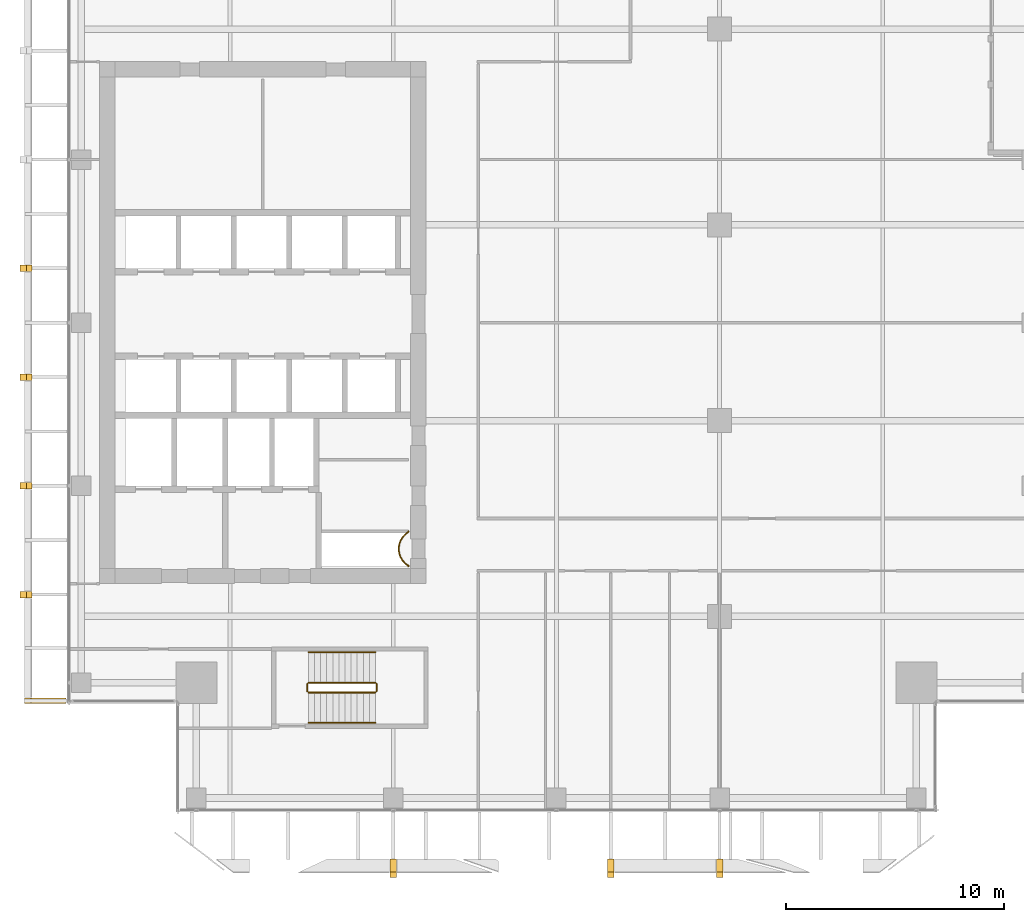
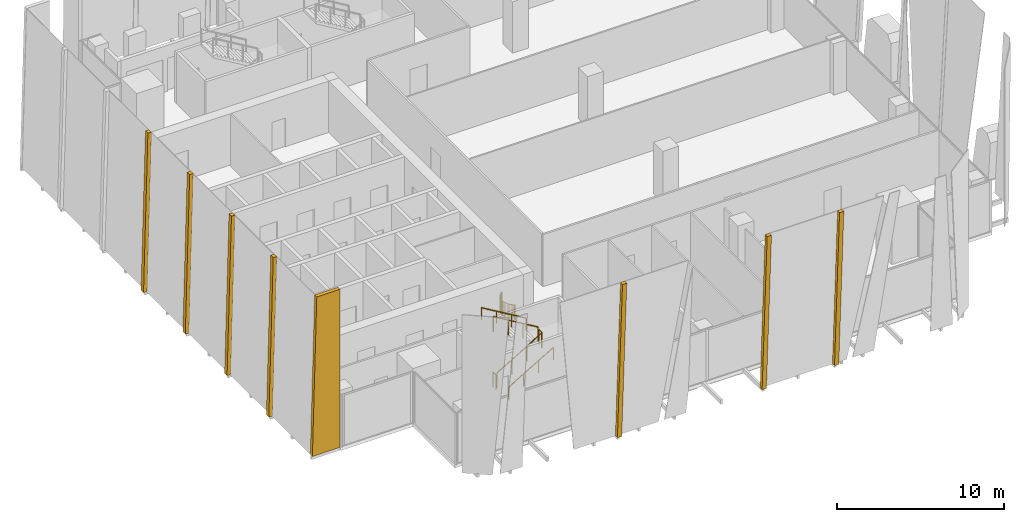
# One storey, part 32 of 35: 8 coverings, 7 railings.
"""IFC4 building model written with IfcOpenShell, lengths in metres."""

from ifc_helpers import new_model, si_unit, direction, frame, origin, origin_2d, place, context, subcontext, project, spatial, polyline, circle, outline, extrude, source, transform, mapped, material, layer, layer_set, type_object, element, save


model = new_model("IFC4")

# Units and contexts
model_context = context("Model", 3, precision=1e-05, world=origin(), true_north=direction((0.0, 1.0)))
body_context = subcontext(model_context, "Body", "Model", "MODEL_VIEW")
ifc_project = project(units=[si_unit("LENGTHUNIT", "METRE"), si_unit("AREAUNIT", "SQUARE_METRE"), si_unit("VOLUMEUNIT", "CUBIC_METRE"), si_unit("PLANEANGLEUNIT", "RADIAN"), si_unit("MASSUNIT", "GRAM", prefix="KILO")], contexts=[model_context])

# Site, building, storey
site_placement = place(None, origin())
site = spatial("IfcSite", under=ifc_project, at=site_placement, CompositionType="ELEMENT")
building_placement = place(site_placement, origin())
building = spatial("IfcBuilding", under=site, at=building_placement, Name="Khomas Fold Tower", CompositionType="ELEMENT")
storey_placement = place(building_placement, frame((0.0, 0.0, 246.199951171875)))
storey = spatial("IfcBuildingStorey", under=building, at=storey_placement, Name="L55", CompositionType="ELEMENT", Elevation=246.199951171875)

# Coverings
ifc_material_1 = material(Name="Natural stone cladding", Category="masonry")
ifc_layer = layer(ifc_material_1, 0.25)
ifc_layer_set = layer_set([ifc_layer], Name="Natural stone cladding")
covering_type = type_object("IfcCoveringType", Name="SK-Karibib marble stone mullion", PredefinedType="CLADDING", material=ifc_layer_set)
for number, where, z_axis, x_axis, name in (
    (1, (19.35009765625, 2.34228515625, 0.0), (0.0, 0.99862882819, 0.052349436554), (0.0, -0.052349436554, 0.99862882819), "OUTER SKIN mullion L55 SM100-5"),
    (2, (29.35009765625, 2.34228515625, 0.0), (0.0, 0.99862882819, 0.052349436554), (0.0, -0.052349436554, 0.99862882819), "OUTER SKIN mullion L55 SM102-8"),
    (3, (34.35009765625, 2.34228515625, 0.0), (0.0, 0.99862882819, 0.052349436554), (0.0, -0.052349436554, 0.99862882819), "OUTER SKIN mullion L55 SM103-10"),
):
    element("IfcCovering", number, at=place(storey_placement, frame(where, z_axis=z_axis, x_axis=x_axis)), inside=storey, type_object=covering_type, Name=name, PredefinedType="CLADDING", context=body_context, shape_type="SweptSolid", body=[
        extrude(outline(polyline([(0.0, 0.0), (11.565907674683308, 0.0), (11.565907674683308, 0.2998046875), (0.0, 0.2998046875), (0.0, 0.0)])), origin(), (0.0, 0.0, -1.0), 0.25),
    ])
for number, where, z_axis, x_axis, name in (
    (4, (2.339111328125, 14.35009765625, 0.006591796875), (-0.999657230839, 0.0, 0.026180543005), (0.0, 1.0, 0.0), "OUTER SKIN mullion L55 W2"),
    (5, (2.339111328125, 19.35009765625, 0.006591796875), (-0.999657230839, 0.0, 0.026180543005), (0.0, 1.0, 0.0), "OUTER SKIN mullion L55 W4"),
    (6, (2.339111328125, 24.35009765625, 0.006591796875), (-0.999657230839, 0.0, 0.026180543005), (0.0, 1.0, 0.0), "OUTER SKIN mullion L55 W6"),
    (7, (2.339111328125, 29.35009765625, 0.006591796875), (-0.999657230839, 0.0, 0.026180543005), (0.0, 1.0, 0.0), "OUTER SKIN mullion L55 W8"),
):
    element("IfcCovering", number, at=place(storey_placement, frame(where, z_axis=z_axis, x_axis=x_axis)), inside=storey, type_object=covering_type, Name=name, PredefinedType="CLADDING", context=body_context, shape_type="SweptSolid", body=[
        extrude(outline(polyline([(0.0, 0.0), (0.2998046875, 0.0), (0.2998046875, -11.554009186164079), (0.0, -11.554009186164079), (0.0, 0.0)])), origin(), (0.0, 0.0, -1.0), 0.25),
    ])
covering_placement = place(storey_placement, frame((4.449951171875, 9.5, 11.550048828125), z_axis=(0.0, -1.0, 0.0), x_axis=(-1.0, 0.0, 0.0)))
element("IfcCovering", 8, at=covering_placement, inside=storey, type_object=covering_type, Name="OUTER SKIN return L55 W1", PredefinedType="CLADDING", context=body_context, shape_type="SweptSolid", body=[
    extrude(outline(polyline([(0.0, 0.0), (1.598388671875, 0.0), (1.90087890625, 11.550048828125), (0.0, 11.550048828125), (0.0, 0.0)])), origin(), (0.0, 0.0, -1.0), 0.25),
])

# Railings
ifc_material_2 = material(Name="Steel balustrade", Category="steel")
railing_type_1 = type_object("IfcRailingType", Name="Stair guard", PredefinedType="GUARDRAIL", material=ifc_material_2)
shared_shape_1 = source(origin(), body_context, "Body", "SweptSolid", [
    extrude(circle(Radius=0.02392578125, at=origin_2d()), frame((0.0, 0.0, 1.076171875), z_axis=(0.0, 1.0, 0.0), x_axis=(-1.0, 0.0, 0.0)), (0.0, 0.0, 1.0), 0.349853515625),
    extrude(circle(Radius=0.02099609375, at=origin_2d()), origin(), (0.0, 0.0, 1.0), 1.052001953125),
    extrude(circle(Radius=0.02099609375, at=origin_2d()), frame((0.0, 0.349853515625, 0.0)), (0.0, 0.0, 1.0), 1.052001953125),
])
for number, where, name in (
    (9, (18.72998046875, 10.050048828125, 2.0), "L55 ST2 stair guard 2"),
    (10, (15.550048828125, 10.050048828125, 0.0), "L55 ST2 stair guard 4"),
):
    element("IfcRailing", number, at=place(storey_placement, frame(where)), inside=storey, type_object=railing_type_1, Name=name, PredefinedType="GUARDRAIL", context=body_context, shape_type="MappedRepresentation", body=[
        mapped(shared_shape_1, transform((0.0, 0.0, 0.0))),
    ])
shared_shape_2 = source(origin(), body_context, "Body", "SweptSolid", [
    extrude(circle(Radius=0.02392578125, at=origin_2d()), frame((0.0, 0.0, 1.076171875), z_axis=(0.859290745958, 0.0, 0.51148745235), x_axis=(0.0, 1.0, 0.0)), (0.0, 0.0, 1.0), 3.584228515625),
    extrude(circle(Radius=0.02099609375, at=origin_2d()), origin(), (0.0, 0.0, 1.0), 1.052001953125),
    extrude(circle(Radius=0.02099609375, at=origin_2d()), frame((1.026611328125, 0.0, 0.611083984375)), (0.0, 0.0, 1.0), 1.052001953125),
    extrude(circle(Radius=0.02099609375, at=origin_2d()), frame((2.05322265625, 0.0, 1.22216796875)), (0.0, 0.0, 1.0), 1.052001953125),
    extrude(circle(Radius=0.02099609375, at=origin_2d()), frame((3.079833984375, 0.0, 1.833251953125)), (0.0, 0.0, 1.0), 1.052001953125),
])
railing_1_placement = place(storey_placement, frame((15.60009765625, 10.0, 0.166748046875)))
element("IfcRailing", 11, at=railing_1_placement, inside=storey, type_object=railing_type_1, Name="L55 ST2 stair guard 1", PredefinedType="GUARDRAIL", context=body_context, shape_type="MappedRepresentation", body=[
    mapped(shared_shape_2, transform((0.0, 0.0, 0.0))),
])
shared_shape_3 = source(origin(), body_context, "Body", "SweptSolid", [
    extrude(circle(Radius=0.02392578125, at=origin_2d()), frame((0.0, 0.0, 1.076171875), z_axis=(-0.859290745958, 0.0, 0.51148745235), x_axis=(0.0, -1.0, 0.0)), (0.0, 0.0, 1.0), 3.584228515625),
    extrude(circle(Radius=0.02099609375, at=origin_2d()), origin(), (0.0, 0.0, 1.0), 1.052001953125),
    extrude(circle(Radius=0.02099609375, at=origin_2d()), frame((-1.026611328125, 0.0, 0.611083984375)), (0.0, 0.0, 1.0), 1.052001953125),
    extrude(circle(Radius=0.02099609375, at=origin_2d()), frame((-2.05322265625, 0.0, 1.22216796875)), (0.0, 0.0, 1.0), 1.052001953125),
    extrude(circle(Radius=0.02099609375, at=origin_2d()), frame((-3.079833984375, 0.0, 1.833251953125)), (0.0, 0.0, 1.0), 1.052001953125),
])
railing_2_placement = place(storey_placement, frame((18.679931640625, 10.449951171875, 2.166748046875)))
element("IfcRailing", 12, at=railing_2_placement, inside=storey, type_object=railing_type_1, Name="L55 ST2 stair guard 3", PredefinedType="GUARDRAIL", context=body_context, shape_type="MappedRepresentation", body=[
    mapped(shared_shape_3, transform((0.0, 0.0, 0.0))),
])
ifc_material_3 = material(Name="Steel handrail", Category="steel")
railing_type_2 = type_object("IfcRailingType", Name="Stair handrail", PredefinedType="HANDRAIL", material=ifc_material_3)
shared_shape_4 = source(origin(), body_context, "Body", "SweptSolid", [
    extrude(circle(Radius=0.02392578125, at=origin_2d()), frame((0.0, 0.0, 0.8759765625), z_axis=(0.859290745958, 0.0, 0.51148745235), x_axis=(0.0, 1.0, 0.0)), (0.0, 0.0, 1.0), 3.584228515625),
    extrude(circle(Radius=0.02099609375, at=origin_2d()), origin(), (0.0, 0.0, 1.0), 0.851806640625),
    extrude(circle(Radius=0.02099609375, at=origin_2d()), frame((1.026611328125, 0.0, 0.611083984375)), (0.0, 0.0, 1.0), 0.851806640625),
    extrude(circle(Radius=0.02099609375, at=origin_2d()), frame((2.05322265625, 0.0, 1.22216796875)), (0.0, 0.0, 1.0), 0.851806640625),
    extrude(circle(Radius=0.02099609375, at=origin_2d()), frame((3.079833984375, 0.0, 1.833251953125)), (0.0, 0.0, 1.0), 0.851806640625),
])
railing_3_placement = place(storey_placement, frame((15.60009765625, 8.60009765625, 0.166748046875)))
element("IfcRailing", 13, at=railing_3_placement, inside=storey, type_object=railing_type_2, Name="L55 ST2 stair handrail 1", PredefinedType="HANDRAIL", context=body_context, shape_type="MappedRepresentation", body=[
    mapped(shared_shape_4, transform((0.0, 0.0, 0.0))),
])
shared_shape_5 = source(origin(), body_context, "Body", "SweptSolid", [
    extrude(circle(Radius=0.02392578125, at=origin_2d()), frame((0.0, 0.0, 0.8759765625), z_axis=(-0.859290745958, 0.0, 0.51148745235), x_axis=(0.0, -1.0, 0.0)), (0.0, 0.0, 1.0), 3.584228515625),
    extrude(circle(Radius=0.02099609375, at=origin_2d()), origin(), (0.0, 0.0, 1.0), 0.851806640625),
    extrude(circle(Radius=0.02099609375, at=origin_2d()), frame((-1.026611328125, 0.0, 0.611083984375)), (0.0, 0.0, 1.0), 0.851806640625),
    extrude(circle(Radius=0.02099609375, at=origin_2d()), frame((-2.05322265625, 0.0, 1.22216796875)), (0.0, 0.0, 1.0), 0.851806640625),
    extrude(circle(Radius=0.02099609375, at=origin_2d()), frame((-3.079833984375, 0.0, 1.833251953125)), (0.0, 0.0, 1.0), 0.851806640625),
])
railing_4_placement = place(storey_placement, frame((18.679931640625, 11.85009765625, 2.166748046875)))
element("IfcRailing", 14, at=railing_4_placement, inside=storey, type_object=railing_type_2, Name="L55 ST2 stair handrail 2", PredefinedType="HANDRAIL", context=body_context, shape_type="MappedRepresentation", body=[
    mapped(shared_shape_5, transform((0.0, 0.0, 0.0))),
])
ifc_material_4 = material(Name="Steel balustrade", Category="steel")
railing_type_3 = type_object("IfcRailingType", Name="Shaft guard", PredefinedType="GUARDRAIL", material=ifc_material_4)
shared_shape_6 = source(origin(), body_context, "Body", "SweptSolid", [
    extrude(circle(Radius=0.02490234375, at=origin_2d()), frame((0.0, 0.0, 1.0751953125), z_axis=(1.0, 0.0, 0.0), x_axis=(0.0, 1.0, 0.0)), (0.0, 0.0, 1.0), 0.02197265625),
    extrude(circle(Radius=0.02490234375, at=origin_2d()), frame((0.02197265625, 0.0, 1.0751953125), z_axis=(0.0, -1.0, 0.0), x_axis=(1.0, 0.0, 0.0)), (0.0, 0.0, 1.0), 0.021484375),
    extrude(circle(Radius=0.02490234375, at=origin_2d()), frame((0.02197265625, -0.021484375, 1.0751953125), z_axis=(-0.857492925713, -0.514495755428, 0.0), x_axis=(0.514495755428, -0.857492925713, 0.0)), (0.0, 0.0, 1.0), 0.058349609375),
    extrude(circle(Radius=0.02490234375, at=origin_2d()), frame((-0.028076171875, -0.051513671875, 1.0751953125), z_axis=(-0.801986734315, -0.597341843489, 0.0), x_axis=(0.597341843489, -0.801986734315, 0.0)), (0.0, 0.0, 1.0), 0.08837890625),
    extrude(circle(Radius=0.02490234375, at=origin_2d()), frame((-0.098876953125, -0.104248046875, 1.0751953125), z_axis=(-0.740814996175, -0.671709119666, 0.0), x_axis=(0.671709119666, -0.740814996175, 0.0)), (0.0, 0.0, 1.0), 0.08837890625),
    extrude(circle(Radius=0.02490234375, at=origin_2d()), frame((-0.164306640625, -0.16357421875, 1.0751953125), z_axis=(-0.671709119666, -0.740814996175, 0.0), x_axis=(0.740814996175, -0.671709119666, 0.0)), (0.0, 0.0, 1.0), 0.08837890625),
    extrude(circle(Radius=0.02490234375, at=origin_2d()), frame((-0.2236328125, -0.22900390625, 1.0751953125), z_axis=(-0.597341843489, -0.801986734315, 0.0), x_axis=(0.801986734315, -0.597341843489, 0.0)), (0.0, 0.0, 1.0), 0.08837890625),
    extrude(circle(Radius=0.02490234375, at=origin_2d()), frame((-0.2763671875, -0.2998046875, 1.0751953125), z_axis=(-0.514495755428, -0.857492925713, 0.0), x_axis=(0.857492925713, -0.514495755428, 0.0)), (0.0, 0.0, 1.0), 0.08837890625),
    extrude(circle(Radius=0.02490234375, at=origin_2d()), frame((-0.32177734375, -0.37548828125, 1.0751953125), z_axis=(-0.424999439989, -0.905193612444, 0.0), x_axis=(0.905193612444, -0.424999439989, 0.0)), (0.0, 0.0, 1.0), 0.08837890625),
    extrude(circle(Radius=0.02490234375, at=origin_2d()), frame((-0.359375, -0.45556640625, 1.0751953125), z_axis=(-0.337738989679, -0.941239807302, 0.0), x_axis=(0.941239807302, -0.337738989679, 0.0)), (0.0, 0.0, 1.0), 0.088134765625),
    extrude(circle(Radius=0.02490234375, at=origin_2d()), frame((-0.38916015625, -0.53857421875, 1.0751953125), z_axis=(-0.243185799972, -0.969979724887, 0.0), x_axis=(0.969979724887, -0.243185799972, 0.0)), (0.0, 0.0, 1.0), 0.08837890625),
    extrude(circle(Radius=0.02490234375, at=origin_2d()), frame((-0.41064453125, -0.624267578125, 1.0751953125), z_axis=(-0.146448518259, -0.989218293148, 0.0), x_axis=(0.989218293148, -0.146448518259, 0.0)), (0.0, 0.0, 1.0), 0.08837890625),
    extrude(circle(Radius=0.02490234375, at=origin_2d()), frame((-0.423583984375, -0.711669921875, 1.0751953125), z_axis=(-0.049799629132, -0.998759228712, 0.0), x_axis=(0.998759228712, -0.049799629132, 0.0)), (0.0, 0.0, 1.0), 0.088134765625),
    extrude(circle(Radius=0.02490234375, at=origin_2d()), frame((-0.427978515625, -0.7998046875, 1.0751953125), z_axis=(0.049662400856, -0.998766061669, 0.0), x_axis=(0.998766061669, 0.049662400856, 0.0)), (0.0, 0.0, 1.0), 0.08837890625),
    extrude(circle(Radius=0.02490234375, at=origin_2d()), frame((-0.423583984375, -0.88818359375, 1.0751953125), z_axis=(0.146448518259, -0.989218293148, 0.0), x_axis=(0.989218293148, 0.146448518259, 0.0)), (0.0, 0.0, 1.0), 0.08837890625),
    extrude(circle(Radius=0.02490234375, at=origin_2d()), frame((-0.41064453125, -0.9755859375, 1.0751953125), z_axis=(0.243185799972, -0.969979724887, 0.0), x_axis=(0.969979724887, 0.243185799972, 0.0)), (0.0, 0.0, 1.0), 0.08837890625),
    extrude(circle(Radius=0.02490234375, at=origin_2d()), frame((-0.38916015625, -1.061279296875, 1.0751953125), z_axis=(0.337738989679, -0.941239807302, 0.0), x_axis=(0.941239807302, 0.337738989679, 0.0)), (0.0, 0.0, 1.0), 0.088134765625),
    extrude(circle(Radius=0.02490234375, at=origin_2d()), frame((-0.359375, -1.144287109375, 1.0751953125), z_axis=(0.426063493689, -0.904693262573, 0.0), x_axis=(0.904693262573, 0.426063493689, 0.0)), (0.0, 0.0, 1.0), 0.088134765625),
    extrude(circle(Radius=0.02490234375, at=origin_2d()), frame((-0.32177734375, -1.22412109375, 1.0751953125), z_axis=(0.514495755428, -0.857492925713, 0.0), x_axis=(0.857492925713, 0.514495755428, 0.0)), (0.0, 0.0, 1.0), 0.08837890625),
    extrude(circle(Radius=0.02490234375, at=origin_2d()), frame((-0.2763671875, -1.2998046875, 1.0751953125), z_axis=(0.596019138224, -0.802970227885, 0.0), x_axis=(0.802970227885, 0.596019138224, 0.0)), (0.0, 0.0, 1.0), 0.08837890625),
    extrude(circle(Radius=0.02490234375, at=origin_2d()), frame((-0.2236328125, -1.370849609375, 1.0751953125), z_axis=(0.671709119666, -0.740814996175, 0.0), x_axis=(0.740814996175, 0.671709119666, 0.0)), (0.0, 0.0, 1.0), 0.08837890625),
    extrude(circle(Radius=0.02490234375, at=origin_2d()), frame((-0.164306640625, -1.436279296875, 1.0751953125), z_axis=(0.740814996175, -0.671709119666, 0.0), x_axis=(0.671709119666, 0.740814996175, 0.0)), (0.0, 0.0, 1.0), 0.08837890625),
    extrude(circle(Radius=0.02490234375, at=origin_2d()), frame((-0.098876953125, -1.49560546875, 1.0751953125), z_axis=(0.803311771616, -0.595558727233, 0.0), x_axis=(0.595558727233, 0.803311771616, 0.0)), (0.0, 0.0, 1.0), 0.088134765625),
    extrude(circle(Radius=0.02490234375, at=origin_2d()), frame((-0.028076171875, -1.548095703125, 1.0751953125), z_axis=(0.857492925713, -0.514495755428, 0.0), x_axis=(0.514495755428, 0.857492925713, 0.0)), (0.0, 0.0, 1.0), 0.058349609375),
    extrude(circle(Radius=0.02490234375, at=origin_2d()), frame((0.02197265625, -1.578125, 1.0751953125), z_axis=(0.0, -1.0, 0.0), x_axis=(1.0, 0.0, 0.0)), (0.0, 0.0, 1.0), 0.021728515625),
    extrude(circle(Radius=0.02490234375, at=origin_2d()), frame((0.02197265625, -1.599853515625, 1.0751953125), z_axis=(-1.0, 0.0, 0.0), x_axis=(0.0, -1.0, 0.0)), (0.0, 0.0, 1.0), 0.02197265625),
    extrude(circle(Radius=0.02001953125, at=origin_2d()), origin(), (0.0, 0.0, 1.0), 1.050048828125),
    extrude(circle(Radius=0.02001953125, at=origin_2d()), frame((0.02197265625, 0.0, 0.0)), (0.0, 0.0, 1.0), 1.050048828125),
    extrude(circle(Radius=0.02001953125, at=origin_2d()), frame((0.02197265625, -0.021484375, 0.0)), (0.0, 0.0, 1.0), 1.050048828125),
    extrude(circle(Radius=0.02001953125, at=origin_2d()), frame((-0.028076171875, -0.051513671875, 0.0)), (0.0, 0.0, 1.0), 1.050048828125),
    extrude(circle(Radius=0.02001953125, at=origin_2d()), frame((-0.098876953125, -0.104248046875, 0.0)), (0.0, 0.0, 1.0), 1.050048828125),
    extrude(circle(Radius=0.02001953125, at=origin_2d()), frame((-0.164306640625, -0.16357421875, 0.0)), (0.0, 0.0, 1.0), 1.050048828125),
    extrude(circle(Radius=0.02001953125, at=origin_2d()), frame((-0.2236328125, -0.22900390625, 0.0)), (0.0, 0.0, 1.0), 1.050048828125),
    extrude(circle(Radius=0.02001953125, at=origin_2d()), frame((-0.2763671875, -0.2998046875, 0.0)), (0.0, 0.0, 1.0), 1.050048828125),
    extrude(circle(Radius=0.02001953125, at=origin_2d()), frame((-0.32177734375, -0.37548828125, 0.0)), (0.0, 0.0, 1.0), 1.050048828125),
    extrude(circle(Radius=0.02001953125, at=origin_2d()), frame((-0.359375, -0.45556640625, 0.0)), (0.0, 0.0, 1.0), 1.050048828125),
    extrude(circle(Radius=0.02001953125, at=origin_2d()), frame((-0.38916015625, -0.53857421875, 0.0)), (0.0, 0.0, 1.0), 1.050048828125),
    extrude(circle(Radius=0.02001953125, at=origin_2d()), frame((-0.41064453125, -0.624267578125, 0.0)), (0.0, 0.0, 1.0), 1.050048828125),
    extrude(circle(Radius=0.02001953125, at=origin_2d()), frame((-0.423583984375, -0.711669921875, 0.0)), (0.0, 0.0, 1.0), 1.050048828125),
    extrude(circle(Radius=0.02001953125, at=origin_2d()), frame((-0.427978515625, -0.7998046875, 0.0)), (0.0, 0.0, 1.0), 1.050048828125),
    extrude(circle(Radius=0.02001953125, at=origin_2d()), frame((-0.423583984375, -0.88818359375, 0.0)), (0.0, 0.0, 1.0), 1.050048828125),
    extrude(circle(Radius=0.02001953125, at=origin_2d()), frame((-0.41064453125, -0.9755859375, 0.0)), (0.0, 0.0, 1.0), 1.050048828125),
    extrude(circle(Radius=0.02001953125, at=origin_2d()), frame((-0.38916015625, -1.061279296875, 0.0)), (0.0, 0.0, 1.0), 1.050048828125),
    extrude(circle(Radius=0.02001953125, at=origin_2d()), frame((-0.359375, -1.144287109375, 0.0)), (0.0, 0.0, 1.0), 1.050048828125),
    extrude(circle(Radius=0.02001953125, at=origin_2d()), frame((-0.32177734375, -1.22412109375, 0.0)), (0.0, 0.0, 1.0), 1.050048828125),
    extrude(circle(Radius=0.02001953125, at=origin_2d()), frame((-0.2763671875, -1.2998046875, 0.0)), (0.0, 0.0, 1.0), 1.050048828125),
    extrude(circle(Radius=0.02001953125, at=origin_2d()), frame((-0.2236328125, -1.370849609375, 0.0)), (0.0, 0.0, 1.0), 1.050048828125),
    extrude(circle(Radius=0.02001953125, at=origin_2d()), frame((-0.164306640625, -1.436279296875, 0.0)), (0.0, 0.0, 1.0), 1.050048828125),
    extrude(circle(Radius=0.02001953125, at=origin_2d()), frame((-0.098876953125, -1.49560546875, 0.0)), (0.0, 0.0, 1.0), 1.050048828125),
    extrude(circle(Radius=0.02001953125, at=origin_2d()), frame((-0.028076171875, -1.548095703125, 0.0)), (0.0, 0.0, 1.0), 1.050048828125),
    extrude(circle(Radius=0.02001953125, at=origin_2d()), frame((0.02197265625, -1.578125, 0.0)), (0.0, 0.0, 1.0), 1.050048828125),
    extrude(circle(Radius=0.02001953125, at=origin_2d()), frame((0.02197265625, -1.599853515625, 0.0)), (0.0, 0.0, 1.0), 1.050048828125),
    extrude(circle(Radius=0.02001953125, at=origin_2d()), frame((0.0, -1.599853515625, 0.0)), (0.0, 0.0, 1.0), 1.050048828125),
])
railing_5_placement = place(storey_placement, frame((20.177978515625, 17.39990234375, 0.0)))
element("IfcRailing", 15, at=railing_5_placement, inside=storey, type_object=railing_type_3, Name="Shaft guard L55 1", PredefinedType="GUARDRAIL", context=body_context, shape_type="MappedRepresentation", body=[
    mapped(shared_shape_6, transform((0.0, 0.0, 0.0))),
])

save(model, "model.ifc")
